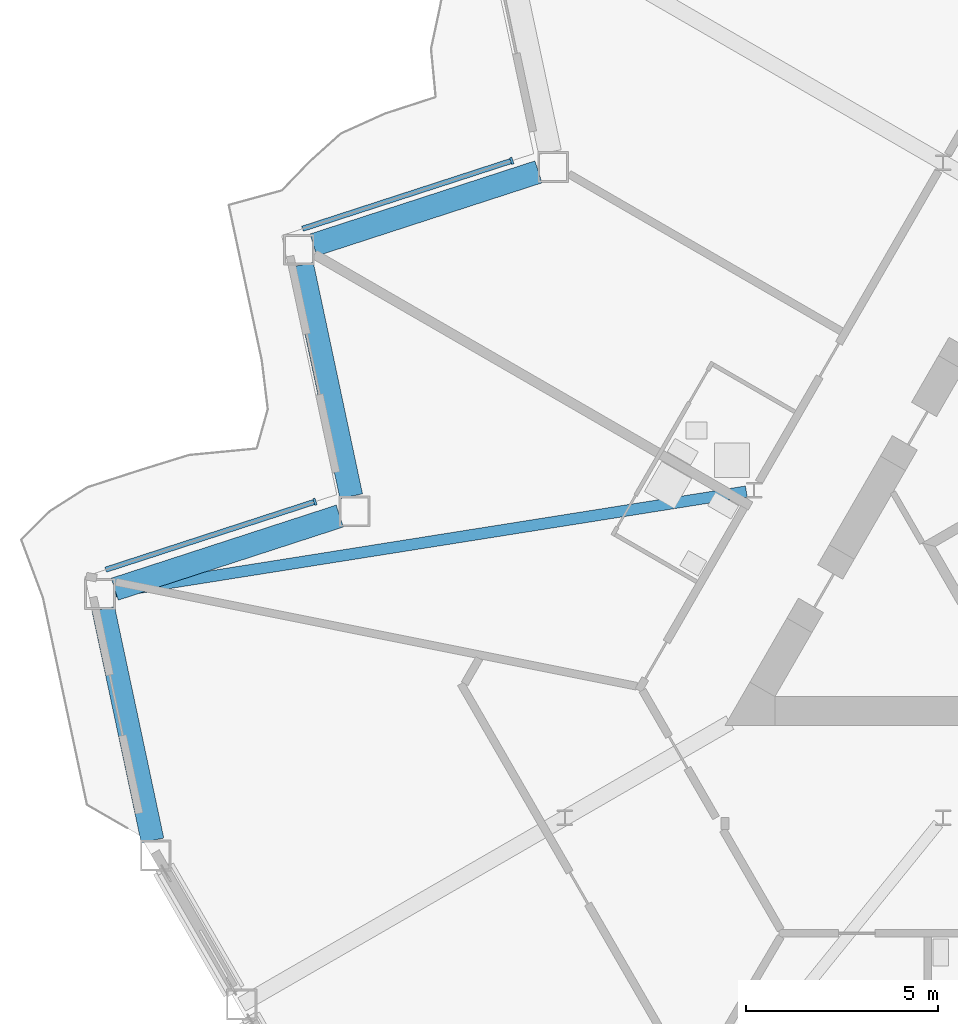
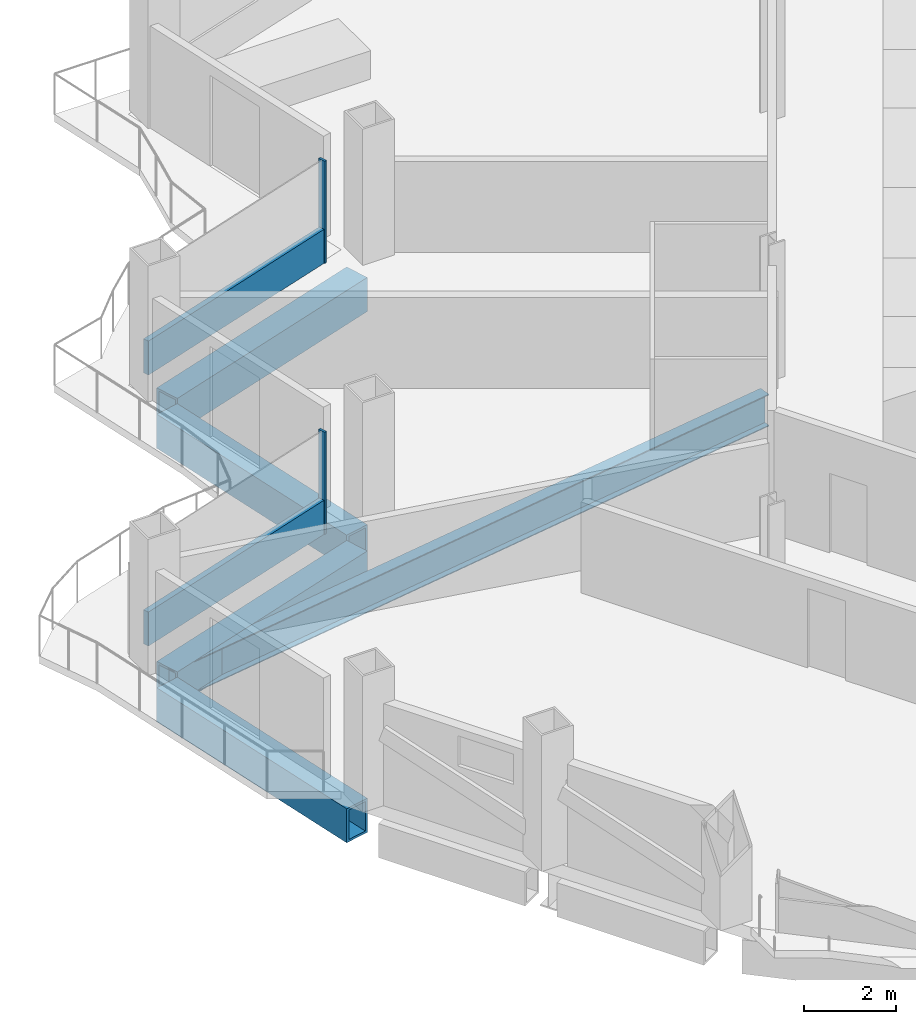
# One storey, part 4 of 23: 5 beams, 4 members, 2 elements without a shape of their own.
"""IFC4 building model written with IfcOpenShell, lengths in metres."""

from ifc_helpers import new_model, si_unit, direction, frame, origin, origin_2d, place, context, subcontext, project, spatial, rectangle, hollow_rectangle, i_section, extrude, material, layer, layer_set, material_profile, profile_set, type_object, element, aggregate, save


model = new_model("IFC4")

# Units and contexts
model_context = context("Model", 3, precision=1e-05, world=origin(), true_north=direction((0.0, 1.0)))
body_context = subcontext(model_context, "Body", "Model", "MODEL_VIEW")
ifc_project = project(units=[si_unit("LENGTHUNIT", "METRE"), si_unit("AREAUNIT", "SQUARE_METRE"), si_unit("VOLUMEUNIT", "CUBIC_METRE"), si_unit("PLANEANGLEUNIT", "RADIAN"), si_unit("MASSUNIT", "GRAM", prefix="KILO")], contexts=[model_context])

# Site, building, storey
site_placement = place(None, origin())
site = spatial("IfcSite", under=ifc_project, at=site_placement, CompositionType="ELEMENT")
building_placement = place(site_placement, origin())
building = spatial("IfcBuilding", under=site, at=building_placement, Name="Cormorant Prow Tower", CompositionType="ELEMENT")
storey_placement = place(building_placement, frame((0.0, 0.0, 169.199951171875)))
storey = spatial("IfcBuildingStorey", under=building, at=storey_placement, Name="L35", CompositionType="ELEMENT", Elevation=169.199951171875)

# Beams
ifc_material_1 = material(Name="Structural steel ASTM A572 Gr 50", Category="steel")
ifc_material_profile_1 = material_profile(ifc_material_1, hollow_rectangle(XDim=0.60009765625, YDim=0.89990234375, WallThickness=0.06005859375, at=origin_2d()), Name="Box 900x600x60")
ifc_profile_set_1 = profile_set([ifc_material_profile_1], Name="Structural steel ASTM A572 Gr 50")
beam_type_1 = type_object("IfcBeamType", Name="Belt truss top chord 900x600x60", PredefinedType="BEAM", material=ifc_profile_set_1)
beam_1_placement = place(storey_placement, frame((-20.344970703125, 5.439208984375, -0.800048828125), z_axis=(-0.951057696564, -0.309013361859, 0.0), x_axis=(0.309013361859, -0.951057696564, 0.0)))
element("IfcBeam", 1, at=beam_1_placement, inside=storey, type_object=beam_type_1, Name="Belt truss top chord TC2 WNW06-WNW07 L35", PredefinedType="BEAM", context=body_context, shape_type="SweptSolid", body=[
    extrude(hollow_rectangle(XDim=0.60009765625, YDim=0.89990234375, WallThickness=0.06005859375, at=origin_2d()), origin(), (0.0, 0.0, 1.0), 6.14990234375),
])
beam_2_placement = place(storey_placement, frame((-26.490966796875, 3.02392578125, -0.800048828125), z_axis=(0.207904811195, -0.978149063018, 0.0), x_axis=(0.978149063018, 0.207904811195, 0.0)))
element("IfcBeam", 2, at=beam_2_placement, inside=storey, type_object=beam_type_1, Name="Belt truss top chord TC2 WNW07-WNW08 L35", PredefinedType="BEAM", context=body_context, shape_type="SweptSolid", body=[
    extrude(hollow_rectangle(XDim=0.60009765625, YDim=0.89990234375, WallThickness=0.06005859375, at=origin_2d()), origin(), (0.0, 0.0, 1.0), 6.149658203125),
])
beam_3_placement = place(storey_placement, frame((-25.509765625, -3.50634765625, -0.800048828125), z_axis=(-0.951057696564, -0.309013361859, 0.0), x_axis=(0.309013361859, -0.951057696564, 0.0)))
element("IfcBeam", 3, at=beam_3_placement, inside=storey, type_object=beam_type_1, Name="Belt truss top chord TC2 WNW08-WNW09 L35", PredefinedType="BEAM", context=body_context, shape_type="SweptSolid", body=[
    extrude(hollow_rectangle(XDim=0.60009765625, YDim=0.89990234375, WallThickness=0.06005859375, at=origin_2d()), origin(), (0.0, 0.0, 1.0), 6.14990234375),
])
beam_4_placement = place(storey_placement, frame((-31.65576171875, -5.921630859375, -0.800048828125), z_axis=(0.207904811195, -0.978149063018, 0.0), x_axis=(0.978149063018, 0.207904811195, 0.0)))
element("IfcBeam", 4, at=beam_4_placement, inside=storey, type_object=beam_type_1, Name="Belt truss top chord TC2 WNW09-WSW00 L35", PredefinedType="BEAM", context=body_context, shape_type="SweptSolid", body=[
    extrude(hollow_rectangle(XDim=0.60009765625, YDim=0.89990234375, WallThickness=0.06005859375, at=origin_2d()), origin(), (0.0, 0.0, 1.0), 6.149658203125),
])

# Curtain wall, member
ifc_material_2 = material(Name="Aluminium 6063-T6", Category="aluminium")
ifc_layer = layer(ifc_material_2, 0.179931640625)
ifc_layer_set = layer_set([ifc_layer], Name="Aluminium 6063-T6")
curtain_wall_type = type_object("IfcCurtainWallType", Name="Hotel unitised curtain wall 180", PredefinedType="NOTDEFINED", material=ifc_layer_set)
curtain_wall_1_placement = place(storey_placement, origin())
curtain_wall_1 = element("IfcCurtainWall", 5, at=curtain_wall_1_placement, inside=storey, type_object=curtain_wall_type, Name="Hotel curtain wall WNW06", PredefinedType="NOTDEFINED")
ifc_material_3 = material(Name="Aluminium 6063-T6", Category="aluminium")
ifc_material_profile_2 = material_profile(ifc_material_3, rectangle(XDim=0.179931640625, YDim=0.06005859375, at=origin_2d()), Name="Hotel mullion 60x180")
ifc_profile_set_2 = profile_set([ifc_material_profile_2], Name="Aluminium 6063-T6")
member_type_1 = type_object("IfcMemberType", Name="Hotel mullion 60x180", PredefinedType="MULLION", material=ifc_profile_set_2)
member_1_placement = place(storey_placement, frame((-21.039794921875, 5.72705078125, 0.0), z_axis=(0.0, 0.0, 1.0), x_axis=(0.309016937722, -0.951056534703, 0.0)))
member_1 = element("IfcMember", 6, at=member_1_placement, type_object=member_type_1, Name="Hotel mullion WNW06", PredefinedType="MULLION", context=body_context, shape_type="SweptSolid", body=[
    extrude(rectangle(XDim=0.179931640625, YDim=0.06005859375, at=origin_2d()), origin(), (0.0, 0.0, 1.0), 2.700927734375),
])

curtain_wall_2_placement = place(storey_placement, origin())
curtain_wall_2 = element("IfcCurtainWall", 7, at=curtain_wall_2_placement, inside=storey, type_object=curtain_wall_type, Name="Hotel curtain wall WNW08", PredefinedType="NOTDEFINED")
member_2_placement = place(storey_placement, frame((-26.155517578125, -3.133544921875, 0.0), z_axis=(0.0, 0.0, 1.0), x_axis=(0.309017069121, -0.951056492009, 0.0)))
member_2 = element("IfcMember", 8, at=member_2_placement, type_object=member_type_1, Name="Hotel mullion WNW08", PredefinedType="MULLION", context=body_context, shape_type="SweptSolid", body=[
    extrude(rectangle(XDim=0.179931640625, YDim=0.06005859375, at=origin_2d()), origin(), (0.0, 0.0, 1.0), 2.700927734375),
])

# Member
ifc_material_4 = material(Name="Terracotta", Category="masonry")
ifc_material_profile_3 = material_profile(ifc_material_4, rectangle(XDim=0.139892578125, YDim=0.89990234375, at=origin_2d()), Name="Hotel terracotta spandrel rail 140x900")
ifc_profile_set_3 = profile_set([ifc_material_profile_3], Name="Terracotta")
member_type_2 = type_object("IfcMemberType", Name="Hotel terracotta spandrel rail 140x900", PredefinedType="USERDEFINED", material=ifc_profile_set_3)
member_3_placement = place(storey_placement, frame((-21.068359375, 5.7177734375, 0.449951171875), z_axis=(-0.951059615859, -0.309007454735, 0.0), x_axis=(0.309007454735, -0.951059615859, 0.0)))
member_3 = element("IfcMember", 9, at=member_3_placement, type_object=member_type_2, Name="Hotel spandrel rail WNW06", ObjectType="TRANSOM", PredefinedType="USERDEFINED", context=body_context, shape_type="SweptSolid", body=[
    extrude(rectangle(XDim=0.139892578125, YDim=0.89990234375, at=origin_2d()), origin(), (0.0, 0.0, 1.0), 5.687744140625),
])

aggregate(curtain_wall_1, [member_1, member_3])

member_4_placement = place(storey_placement, frame((-26.18408203125, -3.142822265625, 0.449951171875), z_axis=(-0.951059615859, -0.309007454735, 0.0), x_axis=(0.309007454735, -0.951059615859, 0.0)))
member_4 = element("IfcMember", 10, at=member_4_placement, type_object=member_type_2, Name="Hotel spandrel rail WNW08", ObjectType="TRANSOM", PredefinedType="USERDEFINED", context=body_context, shape_type="SweptSolid", body=[
    extrude(rectangle(XDim=0.139892578125, YDim=0.89990234375, at=origin_2d()), origin(), (0.0, 0.0, 1.0), 5.687744140625),
])

aggregate(curtain_wall_2, [member_2, member_4])

# Beam
ifc_material_5 = material(Name="Structural steel ASTM A992 Gr 50", Category="steel")
ifc_material_profile_4 = material_profile(ifc_material_5, i_section(OverallWidth=0.29296875, OverallDepth=0.845703125, WebThickness=0.015380859375, FlangeThickness=0.0244140625, at=origin_2d()), Name="W33x141")
ifc_profile_set_4 = profile_set([ifc_material_profile_4], Name="Structural steel ASTM A992 Gr 50")
beam_type_2 = type_object("IfcBeamType", Name="Radial floor beam W33x141", PredefinedType="BEAM", material=ifc_profile_set_4)
beam_5_placement = place(storey_placement, frame((-14.94384765625, -2.869140625, -0.77294921875), z_axis=(-0.987678058302, -0.156499371084, 0.0), x_axis=(0.156499371084, -0.987678058302, 0.0)))
element("IfcBeam", 11, at=beam_5_placement, inside=storey, type_object=beam_type_2, Name="Radial floor beam FB2 4 L35", PredefinedType="BEAM", context=body_context, shape_type="SweptSolid", body=[
    extrude(i_section(OverallWidth=0.29296875, OverallDepth=0.845703125, WebThickness=0.015380859375, FlangeThickness=0.0244140625, at=origin_2d()), origin(), (0.0, 0.0, 1.0), 16.604736328125),
])

save(model, "model.ifc")
